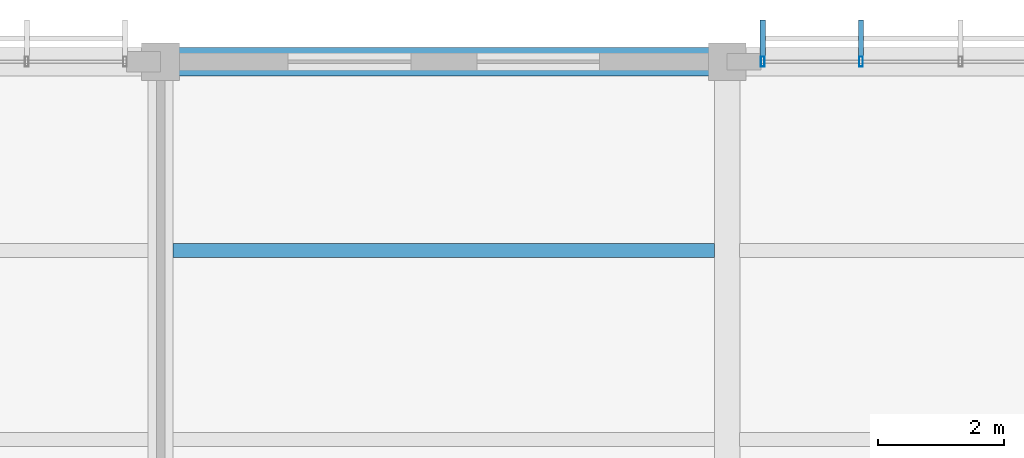
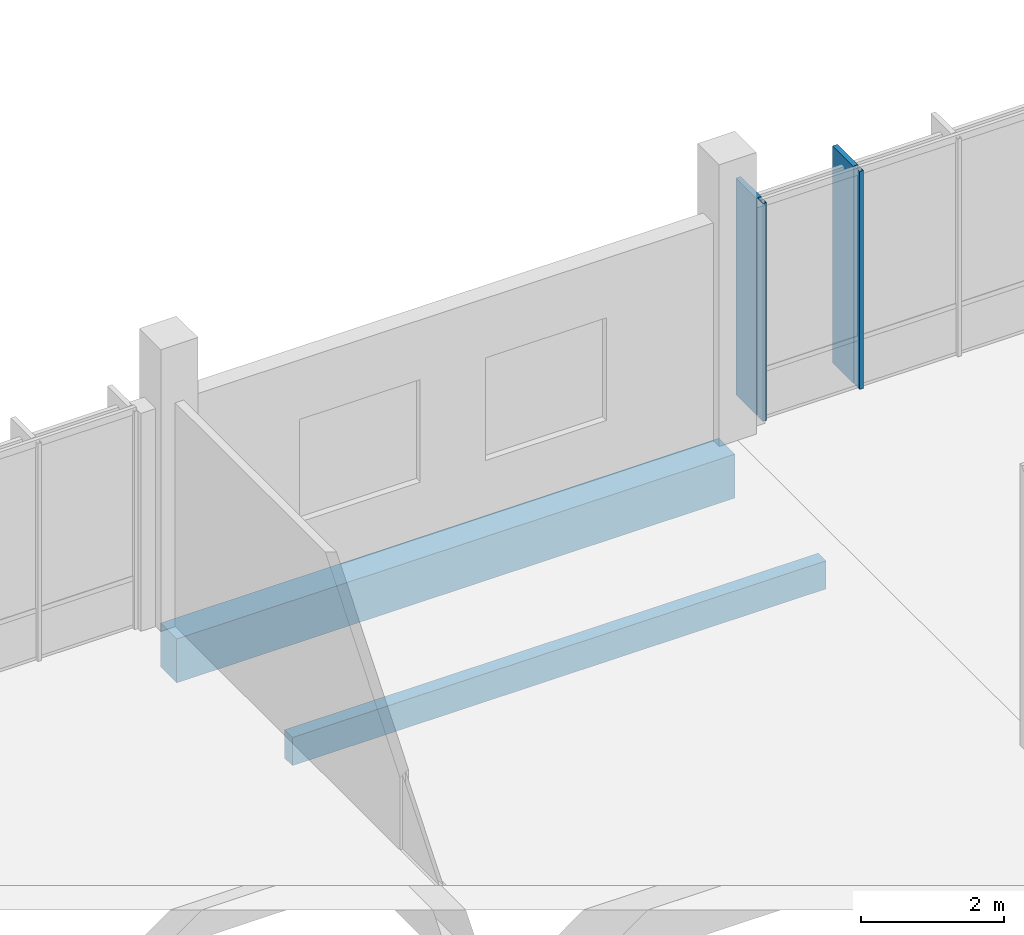
# One storey, part 124 of 177: 4 members, 2 beams, 1 element without a shape of its own.
"""IFC4 building model written with IfcOpenShell, lengths in metres."""

from ifc_helpers import new_model, si_unit, direction, frame, origin, origin_2d, place, context, subcontext, project, spatial, rectangle, hollow_rectangle, extrude, material, material_profile, profile_set, type_object, element, aggregate, save


model = new_model("IFC4")

# Units and contexts
model_context = context("Model", 3, precision=1e-05, world=origin(), true_north=direction((0.0, 1.0)))
body_context = subcontext(model_context, "Body", "Model", "MODEL_VIEW")
ifc_project = project(units=[si_unit("LENGTHUNIT", "METRE"), si_unit("AREAUNIT", "SQUARE_METRE"), si_unit("VOLUMEUNIT", "CUBIC_METRE"), si_unit("PLANEANGLEUNIT", "RADIAN"), si_unit("MASSUNIT", "GRAM", prefix="KILO")], contexts=[model_context])

# Site, building, storey
site_placement = place(None, origin())
site = spatial("IfcSite", under=ifc_project, at=site_placement, CompositionType="ELEMENT")
building_placement = place(site_placement, origin())
building = spatial("IfcBuilding", under=site, at=building_placement, Name="Chiffa Square Polytechnic", CompositionType="ELEMENT")
storey_placement = place(building_placement, frame((0.0, 0.0, 4.800048828125)))
storey = spatial("IfcBuildingStorey", under=building, at=storey_placement, Name="L01", CompositionType="ELEMENT", Elevation=4.800048828125)

# Beam
ifc_material_1 = material(Name="Concrete C35/45", Category="concrete")
ifc_material_profile_1 = material_profile(ifc_material_1, rectangle(XDim=0.449951171875, YDim=0.75, at=origin_2d()), Name="RC 450x750")
ifc_profile_set_1 = profile_set([ifc_material_profile_1], Name="Concrete C35/45")
beam_type_1 = type_object("IfcBeamType", Name="BM-RC-450X750", PredefinedType="BEAM", material=ifc_profile_set_1)
beam_1_placement = place(storey_placement, frame((75.60009765625, 130.800048828125, -0.655029296875), z_axis=(1.0, 0.0, 0.0), x_axis=(0.0, 1.0, 0.0)))
element("IfcBeam", 1, at=beam_1_placement, inside=storey, type_object=beam_type_1, Name="Primary floor girder BM-V5-L01-X-0756-1308", PredefinedType="BEAM", context=body_context, shape_type="SweptSolid", body=[
    extrude(rectangle(XDim=0.449951171875, YDim=0.75, at=origin_2d()), origin(), (0.0, 0.0, 1.0), 9.0),
])

# Curtain wall, members
ifc_material_2 = material(Name="Aluminium EN AW-6060 T66 and glulam shading", Category="wood")
curtain_wall_type = type_object("IfcCurtainWallType", Name="CW-VERT-480X380", PredefinedType="USERDEFINED", material=ifc_material_2)
curtain_wall_placement = place(storey_placement, origin())
curtain_wall = element("IfcCurtainWall", 2, at=curtain_wall_placement, inside=storey, type_object=curtain_wall_type, Name="Curtain wall CW-V5-L01-206", ObjectType="CURTAIN WALL", PredefinedType="USERDEFINED")
ifc_material_3 = material(Name="Aluminium EN AW-6060 T66", Category="aluminium")
ifc_material_profile_2 = material_profile(ifc_material_3, hollow_rectangle(XDim=0.06005859375, YDim=0.159912109375, WallThickness=0.00390625, at=origin_2d()), Name="ALU 60x160x4")
ifc_profile_set_2 = profile_set([ifc_material_profile_2], Name="Aluminium EN AW-6060 T66")
member_type_1 = type_object("IfcMemberType", Name="CWM-ALU-65X150", PredefinedType="MULLION", material=ifc_profile_set_2)
member_1_placement = place(storey_placement, frame((86.72412109375, 130.800048828125, 0.0), z_axis=(0.0, 0.0, 1.0), x_axis=(1.0, 0.0, 0.0)))
member_1 = element("IfcMember", 3, at=member_1_placement, type_object=member_type_1, Name="Curtain wall mullion CW-V5-L01-206-M04", PredefinedType="MULLION", context=body_context, shape_type="SweptSolid", body=[
    extrude(hollow_rectangle(XDim=0.06005859375, YDim=0.159912109375, WallThickness=0.00390625, at=origin_2d()), origin(), (0.0, 0.0, 1.0), 3.71484375),
])
member_2_placement = place(storey_placement, frame((85.1650390625, 130.800048828125, 0.0), z_axis=(0.0, 0.0, 1.0), x_axis=(1.0, 0.0, 0.0)))
member_2 = element("IfcMember", 4, at=member_2_placement, type_object=member_type_1, Name="Curtain wall mullion CW-V5-L01-206-M05", PredefinedType="MULLION", context=body_context, shape_type="SweptSolid", body=[
    extrude(hollow_rectangle(XDim=0.06005859375, YDim=0.159912109375, WallThickness=0.00390625, at=origin_2d()), origin(), (0.0, 0.0, 1.0), 3.71484375),
])
ifc_material_4 = material(Name="Glulam GL28h", Category="wood")
ifc_material_profile_3 = material_profile(ifc_material_4, rectangle(XDim=0.080078125, YDim=0.580078125, at=origin_2d()), Name="GL28h 80x580")
ifc_profile_set_3 = profile_set([ifc_material_profile_3], Name="Glulam GL28h")
member_type_2 = type_object("IfcMemberType", Name="CWM-GL-80X580", PredefinedType="MULLION", material=ifc_profile_set_3)
member_3_placement = place(storey_placement, frame((86.72412109375, 131.172119140625, 0.010009765625), z_axis=(0.0, 0.0, 1.0), x_axis=(-1.0, 0.0, 0.0)))
member_3 = element("IfcMember", 5, at=member_3_placement, type_object=member_type_2, Name="Exterior glulam solar fin CW-V5-L01-206-FN04", PredefinedType="MULLION", context=body_context, shape_type="SweptSolid", body=[
    extrude(rectangle(XDim=0.080078125, YDim=0.580078125, at=origin_2d()), origin(), (0.0, 0.0, 1.0), 3.69482421875),
])
member_4_placement = place(storey_placement, frame((85.1650390625, 131.172119140625, 0.010009765625), z_axis=(0.0, 0.0, 1.0), x_axis=(-1.0, 0.0, 0.0)))
member_4 = element("IfcMember", 6, at=member_4_placement, type_object=member_type_2, Name="Exterior glulam solar fin CW-V5-L01-206-FN05", PredefinedType="MULLION", context=body_context, shape_type="SweptSolid", body=[
    extrude(rectangle(XDim=0.080078125, YDim=0.580078125, at=origin_2d()), origin(), (0.0, 0.0, 1.0), 3.69482421875),
])
aggregate(curtain_wall, [member_1, member_3, member_2, member_4])

# Beam
ifc_material_profile_4 = material_profile(ifc_material_4, rectangle(XDim=0.219970703125, YDim=0.47998046875, at=origin_2d()), Name="GL28h 220x480")
ifc_profile_set_4 = profile_set([ifc_material_profile_4], Name="Glulam GL28h")
beam_type_2 = type_object("IfcBeamType", Name="JST-GL-220X480", PredefinedType="JOIST", material=ifc_profile_set_4)
beam_2_placement = place(storey_placement, frame((75.798095703125, 127.800048828125, -0.52001953125), z_axis=(1.0, 0.0, 0.0), x_axis=(0.0, 1.0, 0.0)))
element("IfcBeam", 7, at=beam_2_placement, inside=storey, type_object=beam_type_2, Name="Secondary floor joist JST-V5-L01-0756-1278", PredefinedType="JOIST", context=body_context, shape_type="SweptSolid", body=[
    extrude(rectangle(XDim=0.219970703125, YDim=0.47998046875, at=origin_2d()), origin(), (0.0, 0.0, 1.0), 8.60400390625),
])

save(model, "model.ifc")
